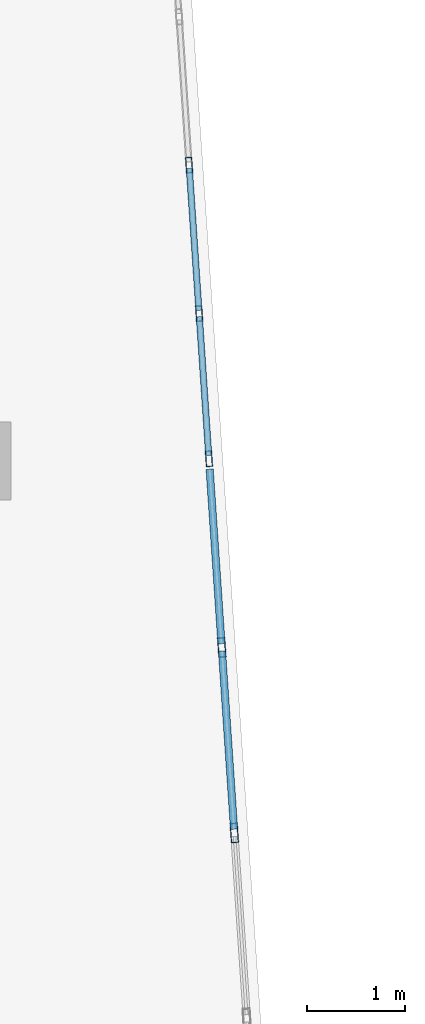
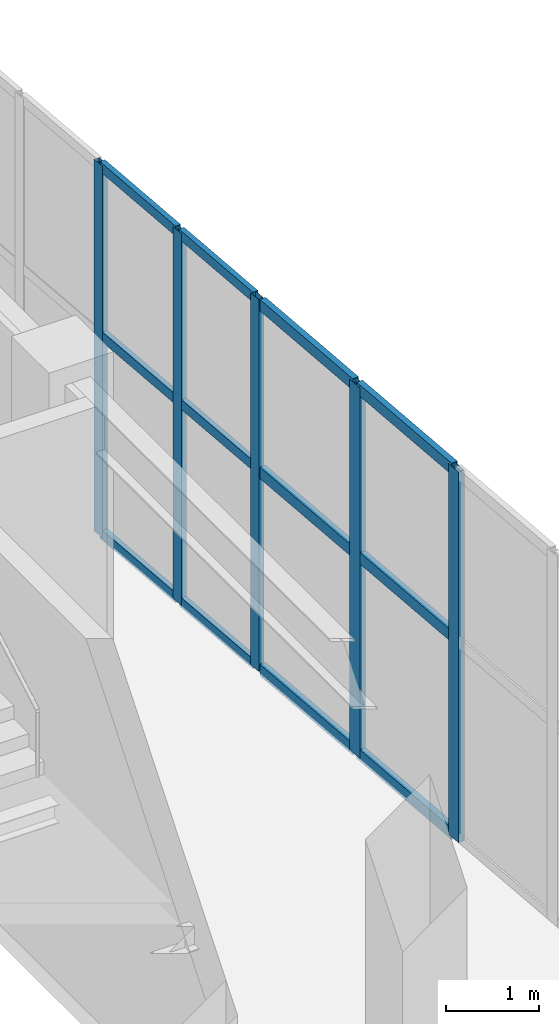
# One storey, part 23 of 128: 17 members, 2 elements without a shape of their own.
"""IFC4 building model written with IfcOpenShell, lengths in metres."""

from ifc_helpers import new_model, si_unit, direction, frame, origin, origin_2d, place, context, subcontext, project, spatial, hollow_rectangle, extrude, material, layer, layer_set, material_profile, profile_set, type_object, element, aggregate, save


model = new_model("IFC4")

# Units and contexts
model_context = context("Model", 3, precision=1e-05, world=origin(), true_north=direction((0.0, 1.0)))
body_context = subcontext(model_context, "Body", "Model", "MODEL_VIEW")
ifc_project = project(units=[si_unit("LENGTHUNIT", "METRE"), si_unit("AREAUNIT", "SQUARE_METRE"), si_unit("VOLUMEUNIT", "CUBIC_METRE"), si_unit("PLANEANGLEUNIT", "RADIAN"), si_unit("MASSUNIT", "GRAM", prefix="KILO")], contexts=[model_context])

# Site, building, storey
site_placement = place(None, origin())
site = spatial("IfcSite", under=ifc_project, at=site_placement, CompositionType="ELEMENT")
building_placement = place(site_placement, origin())
building = spatial("IfcBuilding", under=site, at=building_placement, Name="Xicomal Pleat Aquarium", CompositionType="ELEMENT")
storey_placement = place(building_placement, frame((0.0, 0.0, 5.39990234375)))
storey = spatial("IfcBuildingStorey", under=building, at=storey_placement, Name="L02", CompositionType="ELEMENT", Elevation=5.39990234375)

# Curtain wall, members
ifc_material_1 = material(Name="Bronze anodized aluminium 6063-T6", Category="aluminium")
ifc_layer_1 = layer(ifc_material_1, 0.159912109375)
ifc_layer_set_1 = layer_set([ifc_layer_1], Name="Bronze anodized aluminium 6063-T6")
curtain_wall_type_1 = type_object("IfcCurtainWallType", Name="CW-SYS-02", PredefinedType="NOTDEFINED", material=ifc_layer_set_1)
curtain_wall_1_placement = place(storey_placement, origin())
curtain_wall_1 = element("IfcCurtainWall", 1, at=curtain_wall_1_placement, inside=storey, type_object=curtain_wall_type_1, Name="L02 unitised curtain wall CW-L02-135", PredefinedType="NOTDEFINED")
ifc_material_2 = material(Name="Bronze anodized aluminium 6063-T6", Category="aluminium")
ifc_material_profile_1 = material_profile(ifc_material_2, hollow_rectangle(XDim=0.06494140625, YDim=0.159912109375, WallThickness=0.00390625, at=origin_2d()), Name="ALU MULL 65x160")
ifc_profile_set_1 = profile_set([ifc_material_profile_1], Name="Bronze anodized aluminium 6063-T6")
member_type_1 = type_object("IfcMemberType", Name="CWM-65x160", PredefinedType="MULLION", material=ifc_profile_set_1)
member_1_placement = place(storey_placement, frame((29.225341796875, 56.23095703125, 0.0), z_axis=(0.0, 0.0, 1.0), x_axis=(0.997720800637, 0.067477433092, 0.0)))
member_1 = element("IfcMember", 2, at=member_1_placement, type_object=member_type_1, Name="CW-02 mullion 4", PredefinedType="MULLION", context=body_context, shape_type="SweptSolid", body=[
    extrude(hollow_rectangle(XDim=0.06494140625, YDim=0.159912109375, WallThickness=0.00390625, at=origin_2d()), origin(), (0.0, 0.0, 1.0), 4.875),
])
member_2_placement = place(storey_placement, frame((29.328125, 54.7109375, 0.0), z_axis=(0.0, 0.0, 1.0), x_axis=(0.997720800637, 0.067477433092, 0.0)))
member_2 = element("IfcMember", 3, at=member_2_placement, type_object=member_type_1, Name="CW-02 mullion 5", PredefinedType="MULLION", context=body_context, shape_type="SweptSolid", body=[
    extrude(hollow_rectangle(XDim=0.06494140625, YDim=0.159912109375, WallThickness=0.00390625, at=origin_2d()), origin(), (0.0, 0.0, 1.0), 4.875),
])
member_3_placement = place(storey_placement, frame((29.4287109375, 53.223388671875, 0.0), z_axis=(0.0, 0.0, 1.0), x_axis=(0.997720800637, 0.067477433092, 0.0)))
member_3 = element("IfcMember", 4, at=member_3_placement, type_object=member_type_1, Name="CW-02 mullion 6", PredefinedType="MULLION", context=body_context, shape_type="SweptSolid", body=[
    extrude(hollow_rectangle(XDim=0.06494140625, YDim=0.159912109375, WallThickness=0.00390625, at=origin_2d()), origin(), (0.0, 0.0, 1.0), 4.875),
])

ifc_material_3 = material(Name="Bronze anodized aluminium 6063-T6", Category="aluminium")
ifc_layer_2 = layer(ifc_material_3, 0.159912109375)
ifc_layer_set_2 = layer_set([ifc_layer_2], Name="Bronze anodized aluminium 6063-T6")
curtain_wall_type_2 = type_object("IfcCurtainWallType", Name="CW-SYS-07", PredefinedType="NOTDEFINED", material=ifc_layer_set_2)
curtain_wall_2_placement = place(storey_placement, origin())
curtain_wall_2 = element("IfcCurtainWall", 5, at=curtain_wall_2_placement, inside=storey, type_object=curtain_wall_type_2, Name="L02 unitised curtain wall CW-L02-136", PredefinedType="NOTDEFINED")
ifc_material_4 = material(Name="Bronze anodized aluminium 6063-T6", Category="aluminium")
ifc_material_profile_2 = material_profile(ifc_material_4, hollow_rectangle(XDim=0.074951171875, YDim=0.199951171875, WallThickness=0.00439453125, at=origin_2d()), Name="ALU MULL 75x200")
ifc_profile_set_2 = profile_set([ifc_material_profile_2], Name="Bronze anodized aluminium 6063-T6")
member_type_2 = type_object("IfcMemberType", Name="CWM-75x200", PredefinedType="MULLION", material=ifc_profile_set_2)
member_4_placement = place(storey_placement, frame((29.559814453125, 51.291015625, 0.0), z_axis=(0.0, 0.0, 1.0), x_axis=(0.997711953973, 0.067608112673, 0.0)))
member_4 = element("IfcMember", 6, at=member_4_placement, type_object=member_type_2, Name="CW-07 mullion 2", PredefinedType="MULLION", context=body_context, shape_type="SweptSolid", body=[
    extrude(hollow_rectangle(XDim=0.074951171875, YDim=0.199951171875, WallThickness=0.00439453125, at=origin_2d()), origin(), (0.0, 0.0, 1.0), 4.860107421875),
])
member_5_placement = place(storey_placement, frame((29.6884765625, 49.39111328125, 0.0), z_axis=(0.0, 0.0, 1.0), x_axis=(0.997711953973, 0.067608112673, 0.0)))
member_5 = element("IfcMember", 7, at=member_5_placement, type_object=member_type_2, Name="CW-07 mullion 3", PredefinedType="MULLION", context=body_context, shape_type="SweptSolid", body=[
    extrude(hollow_rectangle(XDim=0.074951171875, YDim=0.199951171875, WallThickness=0.00439453125, at=origin_2d()), origin(), (0.0, 0.0, 1.0), 4.860107421875),
])

# Member
ifc_material_5 = material(Name="Bronze anodized aluminium 6063-T6", Category="aluminium")
ifc_material_profile_3 = material_profile(ifc_material_5, hollow_rectangle(XDim=0.06494140625, YDim=0.1298828125, WallThickness=0.00390625, at=origin_2d()), Name="ALU TRAN 65x130")
ifc_profile_set_3 = profile_set([ifc_material_profile_3], Name="Bronze anodized aluminium 6063-T6")
member_type_3 = type_object("IfcMemberType", Name="CWT-65x130", PredefinedType="USERDEFINED", material=ifc_profile_set_3)
member_6_placement = place(storey_placement, frame((29.2275390625, 56.198486328125, 0.03271484375), z_axis=(0.067463400183, -0.997721749605, 0.0), x_axis=(0.997721749605, 0.067463400183, 0.0)))
member_6 = element("IfcMember", 8, at=member_6_placement, type_object=member_type_3, Name="CW-02 transom 4.1", ObjectType="TRANSOM", PredefinedType="USERDEFINED", context=body_context, shape_type="SweptSolid", body=[
    extrude(hollow_rectangle(XDim=0.06494140625, YDim=0.1298828125, WallThickness=0.00390625, at=origin_2d()), origin(), (0.0, 0.0, 1.0), 1.45849609375),
])

member_7_placement = place(storey_placement, frame((29.2275390625, 56.198486328125, 2.633056640625), z_axis=(0.067463400183, -0.997721749605, 0.0), x_axis=(0.997721749605, 0.067463400183, 0.0)))
member_7 = element("IfcMember", 9, at=member_7_placement, type_object=member_type_3, Name="CW-02 transom 4.2", ObjectType="TRANSOM", PredefinedType="USERDEFINED", context=body_context, shape_type="SweptSolid", body=[
    extrude(hollow_rectangle(XDim=0.06494140625, YDim=0.1298828125, WallThickness=0.00390625, at=origin_2d()), origin(), (0.0, 0.0, 1.0), 1.45849609375),
])

member_8_placement = place(storey_placement, frame((29.2275390625, 56.198486328125, 4.842529296875), z_axis=(0.067463400183, -0.997721749605, 0.0), x_axis=(0.997721749605, 0.067463400183, 0.0)))
member_8 = element("IfcMember", 10, at=member_8_placement, type_object=member_type_3, Name="CW-02 transom 4.3", ObjectType="TRANSOM", PredefinedType="USERDEFINED", context=body_context, shape_type="SweptSolid", body=[
    extrude(hollow_rectangle(XDim=0.06494140625, YDim=0.1298828125, WallThickness=0.00390625, at=origin_2d()), origin(), (0.0, 0.0, 1.0), 1.45849609375),
])

member_9_placement = place(storey_placement, frame((29.330322265625, 54.6787109375, 0.03271484375), z_axis=(0.067450704793, -0.997722607954, 0.0), x_axis=(0.997722607954, 0.067450704793, 0.0)))
member_9 = element("IfcMember", 11, at=member_9_placement, type_object=member_type_3, Name="CW-02 transom 5.1", ObjectType="TRANSOM", PredefinedType="USERDEFINED", context=body_context, shape_type="SweptSolid", body=[
    extrude(hollow_rectangle(XDim=0.06494140625, YDim=0.1298828125, WallThickness=0.00390625, at=origin_2d()), origin(), (0.0, 0.0, 1.0), 1.426025390625),
])

member_10_placement = place(storey_placement, frame((29.330322265625, 54.6787109375, 2.633056640625), z_axis=(0.067450704793, -0.997722607954, 0.0), x_axis=(0.997722607954, 0.067450704793, 0.0)))
member_10 = element("IfcMember", 12, at=member_10_placement, type_object=member_type_3, Name="CW-02 transom 5.2", ObjectType="TRANSOM", PredefinedType="USERDEFINED", context=body_context, shape_type="SweptSolid", body=[
    extrude(hollow_rectangle(XDim=0.06494140625, YDim=0.1298828125, WallThickness=0.00390625, at=origin_2d()), origin(), (0.0, 0.0, 1.0), 1.426025390625),
])

member_11_placement = place(storey_placement, frame((29.330322265625, 54.6787109375, 4.842529296875), z_axis=(0.067450704793, -0.997722607954, 0.0), x_axis=(0.997722607954, 0.067450704793, 0.0)))
member_11 = element("IfcMember", 13, at=member_11_placement, type_object=member_type_3, Name="CW-02 transom 5.3", ObjectType="TRANSOM", PredefinedType="USERDEFINED", context=body_context, shape_type="SweptSolid", body=[
    extrude(hollow_rectangle(XDim=0.06494140625, YDim=0.1298828125, WallThickness=0.00390625, at=origin_2d()), origin(), (0.0, 0.0, 1.0), 1.426025390625),
])

aggregate(curtain_wall_1, [member_1, member_2, member_3, member_6, member_7, member_8, member_9, member_10, member_11])

ifc_material_6 = material(Name="Bronze anodized aluminium 6063-T6", Category="aluminium")
ifc_material_profile_4 = material_profile(ifc_material_6, hollow_rectangle(XDim=0.074951171875, YDim=0.14990234375, WallThickness=0.00439453125, at=origin_2d()), Name="ALU TRAN 75x150")
ifc_profile_set_4 = profile_set([ifc_material_profile_4], Name="Bronze anodized aluminium 6063-T6")
member_type_4 = type_object("IfcMemberType", Name="CWT-75x150", PredefinedType="USERDEFINED", material=ifc_profile_set_4)
member_12_placement = place(storey_placement, frame((29.43603515625, 53.1162109375, 0.03759765625), z_axis=(0.067576973309, -0.997714063587, 0.0), x_axis=(0.997714063587, 0.067576973309, 0.0)))
member_12 = element("IfcMember", 14, at=member_12_placement, type_object=member_type_4, Name="CW-07 transom 1.1", ObjectType="TRANSOM", PredefinedType="USERDEFINED", context=body_context, shape_type="SweptSolid", body=[
    extrude(hollow_rectangle(XDim=0.074951171875, YDim=0.14990234375, WallThickness=0.00439453125, at=origin_2d()), origin(), (0.0, 0.0, 1.0), 1.7919921875),
])

member_13_placement = place(storey_placement, frame((29.43603515625, 53.1162109375, 2.6240234375), z_axis=(0.067576973309, -0.997714063587, 0.0), x_axis=(0.997714063587, 0.067576973309, 0.0)))
member_13 = element("IfcMember", 15, at=member_13_placement, type_object=member_type_4, Name="CW-07 transom 1.2", ObjectType="TRANSOM", PredefinedType="USERDEFINED", context=body_context, shape_type="SweptSolid", body=[
    extrude(hollow_rectangle(XDim=0.074951171875, YDim=0.14990234375, WallThickness=0.00439453125, at=origin_2d()), origin(), (0.0, 0.0, 1.0), 1.7919921875),
])

member_14_placement = place(storey_placement, frame((29.43603515625, 53.1162109375, 4.822509765625), z_axis=(0.067576973309, -0.997714063587, 0.0), x_axis=(0.997714063587, 0.067576973309, 0.0)))
member_14 = element("IfcMember", 16, at=member_14_placement, type_object=member_type_4, Name="CW-07 transom 1.3", ObjectType="TRANSOM", PredefinedType="USERDEFINED", context=body_context, shape_type="SweptSolid", body=[
    extrude(hollow_rectangle(XDim=0.074951171875, YDim=0.14990234375, WallThickness=0.00439453125, at=origin_2d()), origin(), (0.0, 0.0, 1.0), 1.7919921875),
])

member_15_placement = place(storey_placement, frame((29.562255859375, 51.253662109375, 0.03759765625), z_axis=(0.067661600097, -0.997708328056, 0.0), x_axis=(0.997708328056, 0.067661600097, 0.0)))
member_15 = element("IfcMember", 17, at=member_15_placement, type_object=member_type_4, Name="CW-07 transom 2.1", ObjectType="TRANSOM", PredefinedType="USERDEFINED", context=body_context, shape_type="SweptSolid", body=[
    extrude(hollow_rectangle(XDim=0.074951171875, YDim=0.14990234375, WallThickness=0.00439453125, at=origin_2d()), origin(), (0.0, 0.0, 1.0), 1.829345703125),
])

member_16_placement = place(storey_placement, frame((29.562255859375, 51.253662109375, 2.6240234375), z_axis=(0.067661600097, -0.997708328056, 0.0), x_axis=(0.997708328056, 0.067661600097, 0.0)))
member_16 = element("IfcMember", 18, at=member_16_placement, type_object=member_type_4, Name="CW-07 transom 2.2", ObjectType="TRANSOM", PredefinedType="USERDEFINED", context=body_context, shape_type="SweptSolid", body=[
    extrude(hollow_rectangle(XDim=0.074951171875, YDim=0.14990234375, WallThickness=0.00439453125, at=origin_2d()), origin(), (0.0, 0.0, 1.0), 1.829345703125),
])

member_17_placement = place(storey_placement, frame((29.562255859375, 51.253662109375, 4.822509765625), z_axis=(0.067661600097, -0.997708328056, 0.0), x_axis=(0.997708328056, 0.067661600097, 0.0)))
member_17 = element("IfcMember", 19, at=member_17_placement, type_object=member_type_4, Name="CW-07 transom 2.3", ObjectType="TRANSOM", PredefinedType="USERDEFINED", context=body_context, shape_type="SweptSolid", body=[
    extrude(hollow_rectangle(XDim=0.074951171875, YDim=0.14990234375, WallThickness=0.00439453125, at=origin_2d()), origin(), (0.0, 0.0, 1.0), 1.829345703125),
])

aggregate(curtain_wall_2, [member_4, member_5, member_12, member_13, member_14, member_15, member_16, member_17])

save(model, "model.ifc")
